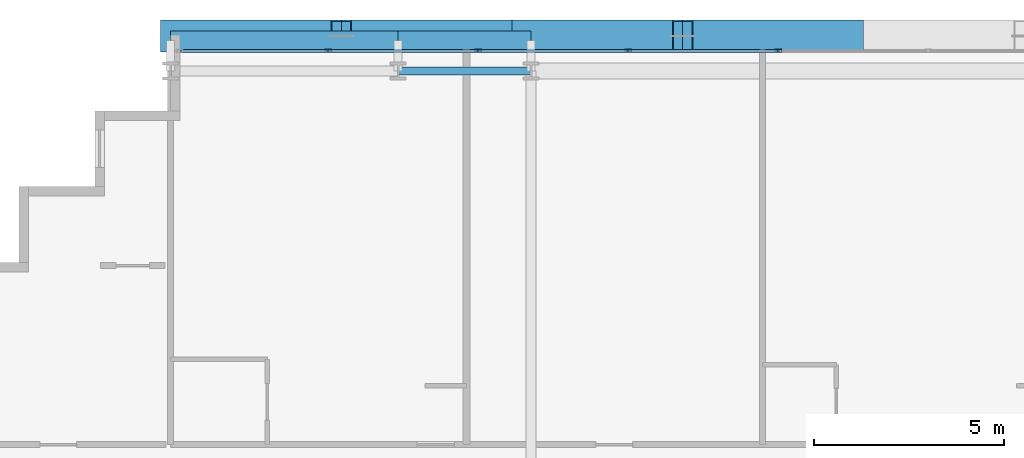
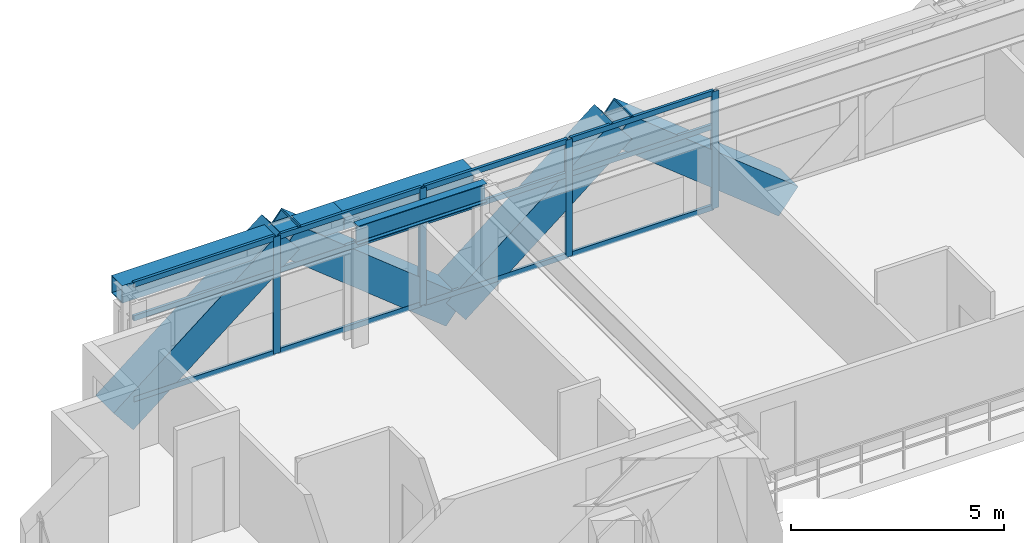
# One storey, part 18 of 35: 20 members, 3 beams, 1 element without a shape of its own.
"""IFC4 building model written with IfcOpenShell, lengths in metres."""

from ifc_helpers import new_model, si_unit, direction, frame, origin, origin_2d, place, context, subcontext, project, spatial, hollow_rectangle, i_section, extrude, source, transform, mapped, material, layer, layer_set, material_profile, profile_set, type_object, element, aggregate, save


model = new_model("IFC4")

# Units and contexts
model_context = context("Model", 3, precision=1e-05, world=origin(), true_north=direction((0.0, 1.0)))
body_context = subcontext(model_context, "Body", "Model", "MODEL_VIEW")
ifc_project = project(units=[si_unit("LENGTHUNIT", "METRE"), si_unit("AREAUNIT", "SQUARE_METRE"), si_unit("VOLUMEUNIT", "CUBIC_METRE"), si_unit("PLANEANGLEUNIT", "RADIAN"), si_unit("MASSUNIT", "GRAM", prefix="KILO")], contexts=[model_context])

# Site, building, storey
site_placement = place(None, origin())
site = spatial("IfcSite", under=ifc_project, at=site_placement, CompositionType="ELEMENT")
building_placement = place(site_placement, origin())
building = spatial("IfcBuilding", under=site, at=building_placement, Name="Ocotamira Hotel", CompositionType="ELEMENT")
storey_placement = place(building_placement, frame((0.0, 0.0, 63.60009765625)))
storey = spatial("IfcBuildingStorey", under=building, at=storey_placement, Name="L15", CompositionType="ELEMENT", Elevation=63.60009765625)

# Beams
ifc_material_1 = material(Name="Steel ASTM A992 Grade 50", Category="steel")
ifc_material_profile_1 = material_profile(ifc_material_1, i_section(OverallWidth=0.2099609375, OverallDepth=0.537109375, WebThickness=0.010986328125, FlangeThickness=0.017333984375, FilletRadius=0.012939453125, at=origin_2d()), Name="W21X68")
ifc_profile_set_1 = profile_set([ifc_material_profile_1], Name="Steel ASTM A992 Grade 50")
beam_type_1 = type_object("IfcBeamType", Name="BM-SEC-W21X68", PredefinedType="JOIST", material=ifc_profile_set_1)
shared_shape_1 = source(origin(), body_context, "Body", "SweptSolid", [
    extrude(i_section(OverallWidth=0.2099609375, OverallDepth=0.537109375, WebThickness=0.010986328125, FlangeThickness=0.017333984375, FilletRadius=0.012939453125, at=origin_2d()), origin(), (0.0, 0.0, 1.0), 3.5),
])
beam_1_placement = place(storey_placement, frame((20.0, 49.050048828125, 3.081298828125), z_axis=(1.0, 0.0, 0.0), x_axis=(0.0, 1.0, 0.0)))
element("IfcBeam", 1, at=beam_1_placement, inside=storey, type_object=beam_type_1, Name="L15 Girder Y49.05 X20-23.5", PredefinedType="JOIST", context=body_context, shape_type="MappedRepresentation", body=[
    mapped(shared_shape_1, transform((0.0, 0.0, 0.0), scale=1.0)),
])
ifc_material_2 = material(Name="Steel ASTM A500 Grade C", Category="steel")
ifc_material_profile_2 = material_profile(ifc_material_2, hollow_rectangle(XDim=0.5, YDim=0.5, WallThickness=0.02001953125, at=origin_2d()), Name="HSS500X500X20")
ifc_profile_set_2 = profile_set([ifc_material_profile_2], Name="Steel ASTM A500 Grade C")
beam_type_2 = type_object("IfcBeamType", Name="BM-SPAN-HSS500", PredefinedType="USERDEFINED", material=ifc_profile_set_2)
shared_shape_2 = source(origin(), body_context, "Body", "SweptSolid", [
    extrude(hollow_rectangle(XDim=0.5, YDim=0.5, WallThickness=0.02001953125, at=origin_2d()), origin(), (0.0, 0.0, 1.0), 6.0),
])
beam_2_placement = place(storey_placement, frame((14.0, 49.85009765625, 3.099853515625), z_axis=(1.0, 0.0, 0.0), x_axis=(0.0, 1.0, 0.0)))
element("IfcBeam", 2, at=beam_2_placement, inside=storey, type_object=beam_type_2, Name="L15 Edge Spandrel N X14-20", ObjectType="SPANDREL", PredefinedType="USERDEFINED", context=body_context, shape_type="MappedRepresentation", body=[
    mapped(shared_shape_2, transform((0.0, 0.0, 0.0), scale=1.0)),
])
shared_shape_3 = source(origin(), body_context, "Body", "SweptSolid", [
    extrude(hollow_rectangle(XDim=0.5, YDim=0.5, WallThickness=0.02001953125, at=origin_2d()), origin(), (0.0, 0.0, 1.0), 3.5),
])
beam_3_placement = place(storey_placement, frame((20.0, 49.85009765625, 3.099853515625), z_axis=(1.0, 0.0, 0.0), x_axis=(0.0, 1.0, 0.0)))
element("IfcBeam", 3, at=beam_3_placement, inside=storey, type_object=beam_type_2, Name="L15 Edge Spandrel N X20-23.5", ObjectType="SPANDREL", PredefinedType="USERDEFINED", context=body_context, shape_type="MappedRepresentation", body=[
    mapped(shared_shape_3, transform((0.0, 0.0, 0.0), scale=1.0)),
])

# Members
ifc_material_3 = material(Name="Pale-metal coated steel ASTM A913 Grade 65", Category="steel")
ifc_material_profile_3 = material_profile(ifc_material_3, hollow_rectangle(XDim=0.85009765625, YDim=0.85009765625, WallThickness=0.035888671875, at=origin_2d()), Name="BOX850X850X36")
ifc_profile_set_3 = profile_set([ifc_material_profile_3], Name="Pale-metal coated steel ASTM A913 Grade 65")
member_type_1 = type_object("IfcMemberType", Name="MEM-EXO-BOX850", PredefinedType="BRACE", material=ifc_profile_set_3)
shared_shape_4 = source(origin(), body_context, "Body", "SweptSolid", [
    extrude(hollow_rectangle(XDim=0.85009765625, YDim=0.85009765625, WallThickness=0.035888671875, at=origin_2d()), origin(), (0.0, 0.0, 1.0), 5.7626953125),
])
for number, where, z_axis, x_axis, name in (
    (4, (14.0, 49.969970703125, -0.5), (0.780881208953, 0.0, 0.624679547852), (0.0, 1.0, 0.0), "L15 Exoskeleton Diagrid N0.1"),
    (5, (23.0, 49.969970703125, -0.5), (-0.780881208953, 0.0, 0.624679547852), (0.0, -1.0, 0.0), "L15 Exoskeleton Diagrid N0.2"),
    (6, (23.0, 49.969970703125, -0.5), (0.780881208953, 0.0, 0.624679547852), (0.0, 1.0, 0.0), "L15 Exoskeleton Diagrid N1.1"),
    (7, (32.0, 49.969970703125, -0.5), (-0.780881208953, 0.0, 0.624679547852), (0.0, -1.0, 0.0), "L15 Exoskeleton Diagrid N1.2"),
):
    element("IfcMember", number, at=place(storey_placement, frame(where, z_axis=z_axis, x_axis=x_axis)), inside=storey, type_object=member_type_1, Name=name, PredefinedType="BRACE", context=body_context, shape_type="MappedRepresentation", body=[
        mapped(shared_shape_4, transform((0.0, 0.0, 0.0), scale=1.0)),
    ])

# Curtain wall, members
ifc_material_4 = material(Name="Anodised pale-metal aluminium and solar glass", Category="aluminium")
ifc_layer = layer(ifc_material_4, 0.179931640625)
ifc_layer_set = layer_set([ifc_layer], Name="Anodised pale-metal aluminium and solar glass")
curtain_wall_type = type_object("IfcCurtainWallType", Name="CW-SYS2-Z1", PredefinedType="NOTDEFINED", material=ifc_layer_set)
curtain_wall_placement = place(storey_placement, origin())
curtain_wall = element("IfcCurtainWall", 8, at=curtain_wall_placement, inside=storey, type_object=curtain_wall_type, Name="L15 Curtain Wall CW-2 CW-L15-N", PredefinedType="NOTDEFINED")
ifc_material_5 = material(Name="Anodised pale-metal aluminium 6063-T6", Category="aluminium")
ifc_material_profile_4 = material_profile(ifc_material_5, hollow_rectangle(XDim=0.080078125, YDim=0.179931640625, WallThickness=0.006103515625, at=origin_2d()), Name="HSS180X80X6")
ifc_profile_set_4 = profile_set([ifc_material_profile_4], Name="Anodised pale-metal aluminium 6063-T6")
member_type_2 = type_object("IfcMemberType", Name="CWM-180X75", PredefinedType="MULLION", material=ifc_profile_set_4)
shared_shape_5 = source(origin(), body_context, "Body", "SweptSolid", [
    extrude(hollow_rectangle(XDim=0.080078125, YDim=0.179931640625, WallThickness=0.006103515625, at=origin_2d()), origin(), (0.0, 0.0, 1.0), 3.349853515625),
])
member_1_placement = place(storey_placement, frame((18.155517578125, 49.580078125, 0.0), z_axis=(0.0, 0.0, 1.0), x_axis=(0.0, 1.0, 0.0)))
member_1 = element("IfcMember", 9, at=member_1_placement, type_object=member_type_2, Name="CW-2 mullion 2", PredefinedType="MULLION", context=body_context, shape_type="MappedRepresentation", body=[
    mapped(shared_shape_5, transform((0.0, 0.0, 0.0), scale=1.0)),
])
member_2_placement = place(storey_placement, frame((22.111083984375, 49.580078125, 0.0), z_axis=(0.0, 0.0, 1.0), x_axis=(0.0, 1.0, 0.0)))
member_2 = element("IfcMember", 10, at=member_2_placement, type_object=member_type_2, Name="CW-2 mullion 3", PredefinedType="MULLION", context=body_context, shape_type="MappedRepresentation", body=[
    mapped(shared_shape_5, transform((0.0, 0.0, 0.0), scale=1.0)),
])
member_3_placement = place(storey_placement, frame((26.066650390625, 49.580078125, 0.0), z_axis=(0.0, 0.0, 1.0), x_axis=(0.0, 1.0, 0.0)))
member_3 = element("IfcMember", 11, at=member_3_placement, type_object=member_type_2, Name="CW-2 mullion 4", PredefinedType="MULLION", context=body_context, shape_type="MappedRepresentation", body=[
    mapped(shared_shape_5, transform((0.0, 0.0, 0.0), scale=1.0)),
])
member_4_placement = place(storey_placement, frame((30.022216796875, 49.580078125, 0.0), z_axis=(0.0, 0.0, 1.0), x_axis=(0.0, 1.0, 0.0)))
member_4 = element("IfcMember", 12, at=member_4_placement, type_object=member_type_2, Name="CW-2 mullion 5", PredefinedType="MULLION", context=body_context, shape_type="MappedRepresentation", body=[
    mapped(shared_shape_5, transform((0.0, 0.0, 0.0), scale=1.0)),
])
ifc_material_profile_5 = material_profile(ifc_material_5, hollow_rectangle(XDim=0.074951171875, YDim=0.14990234375, WallThickness=0.006103515625, at=origin_2d()), Name="HSS150X75X6")
ifc_profile_set_5 = profile_set([ifc_material_profile_5], Name="Anodised pale-metal aluminium 6063-T6")
member_type_3 = type_object("IfcMemberType", Name="CWT-150X75", PredefinedType="USERDEFINED", material=ifc_profile_set_5)
shared_shape_6 = source(origin(), body_context, "Body", "SweptSolid", [
    extrude(hollow_rectangle(XDim=0.074951171875, YDim=0.14990234375, WallThickness=0.006103515625, at=origin_2d()), origin(), (0.0, 0.0, 1.0), 3.83544921875),
])
member_5_placement = place(storey_placement, frame((14.280029296875, 49.580078125, 0.037353515625), z_axis=(1.0, 0.0, 0.0), x_axis=(0.0, 1.0, 0.0)))
member_5 = element("IfcMember", 13, at=member_5_placement, type_object=member_type_3, Name="CW-2 transom 1.1", ObjectType="TRANSOM", PredefinedType="USERDEFINED", context=body_context, shape_type="MappedRepresentation", body=[
    mapped(shared_shape_6, transform((0.0, 0.0, 0.0), scale=1.0)),
])
member_6_placement = place(storey_placement, frame((14.280029296875, 49.580078125, 2.349853515625), z_axis=(1.0, 0.0, 0.0), x_axis=(0.0, 1.0, 0.0)))
member_6 = element("IfcMember", 14, at=member_6_placement, type_object=member_type_3, Name="CW-2 transom 1.2", ObjectType="TRANSOM", PredefinedType="USERDEFINED", context=body_context, shape_type="MappedRepresentation", body=[
    mapped(shared_shape_6, transform((0.0, 0.0, 0.0), scale=1.0)),
])
member_7_placement = place(storey_placement, frame((14.280029296875, 49.580078125, 3.3125), z_axis=(1.0, 0.0, 0.0), x_axis=(0.0, 1.0, 0.0)))
member_7 = element("IfcMember", 15, at=member_7_placement, type_object=member_type_3, Name="CW-2 transom 1.3", ObjectType="TRANSOM", PredefinedType="USERDEFINED", context=body_context, shape_type="MappedRepresentation", body=[
    mapped(shared_shape_6, transform((0.0, 0.0, 0.0), scale=1.0)),
])
shared_shape_7 = source(origin(), body_context, "Body", "SweptSolid", [
    extrude(hollow_rectangle(XDim=0.074951171875, YDim=0.14990234375, WallThickness=0.006103515625, at=origin_2d()), origin(), (0.0, 0.0, 1.0), 3.87548828125),
])
member_8_placement = place(storey_placement, frame((18.195556640625, 49.580078125, 0.037353515625), z_axis=(1.0, 0.0, 0.0), x_axis=(0.0, 1.0, 0.0)))
member_8 = element("IfcMember", 16, at=member_8_placement, type_object=member_type_3, Name="CW-2 transom 2.1", ObjectType="TRANSOM", PredefinedType="USERDEFINED", context=body_context, shape_type="MappedRepresentation", body=[
    mapped(shared_shape_7, transform((0.0, 0.0, 0.0), scale=1.0)),
])
member_9_placement = place(storey_placement, frame((18.195556640625, 49.580078125, 2.349853515625), z_axis=(1.0, 0.0, 0.0), x_axis=(0.0, 1.0, 0.0)))
member_9 = element("IfcMember", 17, at=member_9_placement, type_object=member_type_3, Name="CW-2 transom 2.2", ObjectType="TRANSOM", PredefinedType="USERDEFINED", context=body_context, shape_type="MappedRepresentation", body=[
    mapped(shared_shape_7, transform((0.0, 0.0, 0.0), scale=1.0)),
])
member_10_placement = place(storey_placement, frame((18.195556640625, 49.580078125, 3.3125), z_axis=(1.0, 0.0, 0.0), x_axis=(0.0, 1.0, 0.0)))
member_10 = element("IfcMember", 18, at=member_10_placement, type_object=member_type_3, Name="CW-2 transom 2.3", ObjectType="TRANSOM", PredefinedType="USERDEFINED", context=body_context, shape_type="MappedRepresentation", body=[
    mapped(shared_shape_7, transform((0.0, 0.0, 0.0), scale=1.0)),
])
member_11_placement = place(storey_placement, frame((22.151123046875, 49.580078125, 0.037353515625), z_axis=(1.0, 0.0, 0.0), x_axis=(0.0, 1.0, 0.0)))
member_11 = element("IfcMember", 19, at=member_11_placement, type_object=member_type_3, Name="CW-2 transom 3.1", ObjectType="TRANSOM", PredefinedType="USERDEFINED", context=body_context, shape_type="MappedRepresentation", body=[
    mapped(shared_shape_7, transform((0.0, 0.0, 0.0), scale=1.0)),
])
member_12_placement = place(storey_placement, frame((22.151123046875, 49.580078125, 2.349853515625), z_axis=(1.0, 0.0, 0.0), x_axis=(0.0, 1.0, 0.0)))
member_12 = element("IfcMember", 20, at=member_12_placement, type_object=member_type_3, Name="CW-2 transom 3.2", ObjectType="TRANSOM", PredefinedType="USERDEFINED", context=body_context, shape_type="MappedRepresentation", body=[
    mapped(shared_shape_7, transform((0.0, 0.0, 0.0), scale=1.0)),
])
member_13_placement = place(storey_placement, frame((22.151123046875, 49.580078125, 3.3125), z_axis=(1.0, 0.0, 0.0), x_axis=(0.0, 1.0, 0.0)))
member_13 = element("IfcMember", 21, at=member_13_placement, type_object=member_type_3, Name="CW-2 transom 3.3", ObjectType="TRANSOM", PredefinedType="USERDEFINED", context=body_context, shape_type="MappedRepresentation", body=[
    mapped(shared_shape_7, transform((0.0, 0.0, 0.0), scale=1.0)),
])
member_14_placement = place(storey_placement, frame((26.106689453125, 49.580078125, 0.037353515625), z_axis=(1.0, 0.0, 0.0), x_axis=(0.0, 1.0, 0.0)))
member_14 = element("IfcMember", 22, at=member_14_placement, type_object=member_type_3, Name="CW-2 transom 4.1", ObjectType="TRANSOM", PredefinedType="USERDEFINED", context=body_context, shape_type="MappedRepresentation", body=[
    mapped(shared_shape_7, transform((0.0, 0.0, 0.0), scale=1.0)),
])
member_15_placement = place(storey_placement, frame((26.106689453125, 49.580078125, 2.349853515625), z_axis=(1.0, 0.0, 0.0), x_axis=(0.0, 1.0, 0.0)))
member_15 = element("IfcMember", 23, at=member_15_placement, type_object=member_type_3, Name="CW-2 transom 4.2", ObjectType="TRANSOM", PredefinedType="USERDEFINED", context=body_context, shape_type="MappedRepresentation", body=[
    mapped(shared_shape_7, transform((0.0, 0.0, 0.0), scale=1.0)),
])
member_16_placement = place(storey_placement, frame((26.106689453125, 49.580078125, 3.3125), z_axis=(1.0, 0.0, 0.0), x_axis=(0.0, 1.0, 0.0)))
member_16 = element("IfcMember", 24, at=member_16_placement, type_object=member_type_3, Name="CW-2 transom 4.3", ObjectType="TRANSOM", PredefinedType="USERDEFINED", context=body_context, shape_type="MappedRepresentation", body=[
    mapped(shared_shape_7, transform((0.0, 0.0, 0.0), scale=1.0)),
])
aggregate(curtain_wall, [member_1, member_2, member_3, member_4, member_5, member_6, member_7, member_8, member_9, member_10, member_11, member_12, member_13, member_14, member_15, member_16])

save(model, "model.ifc")
